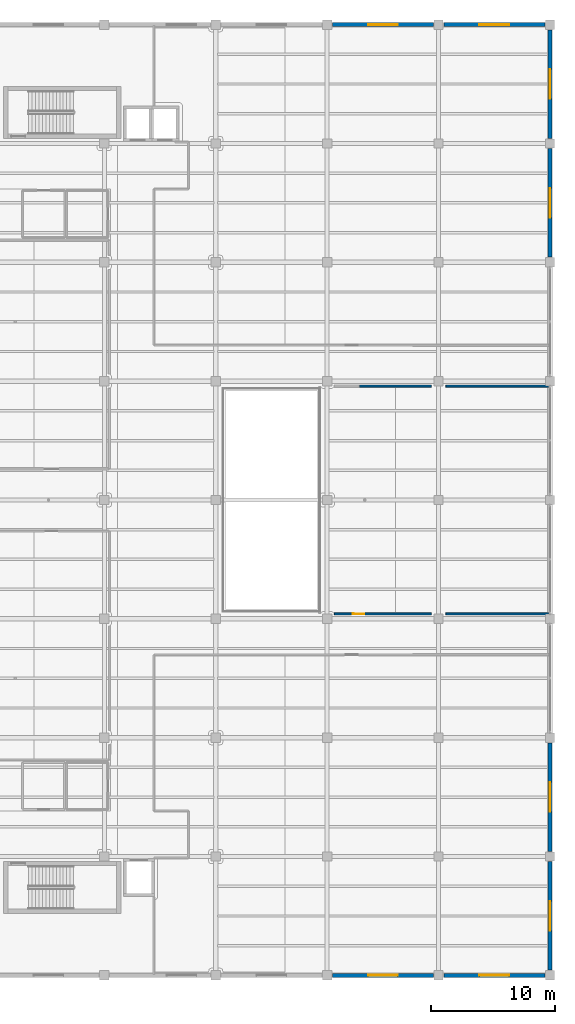
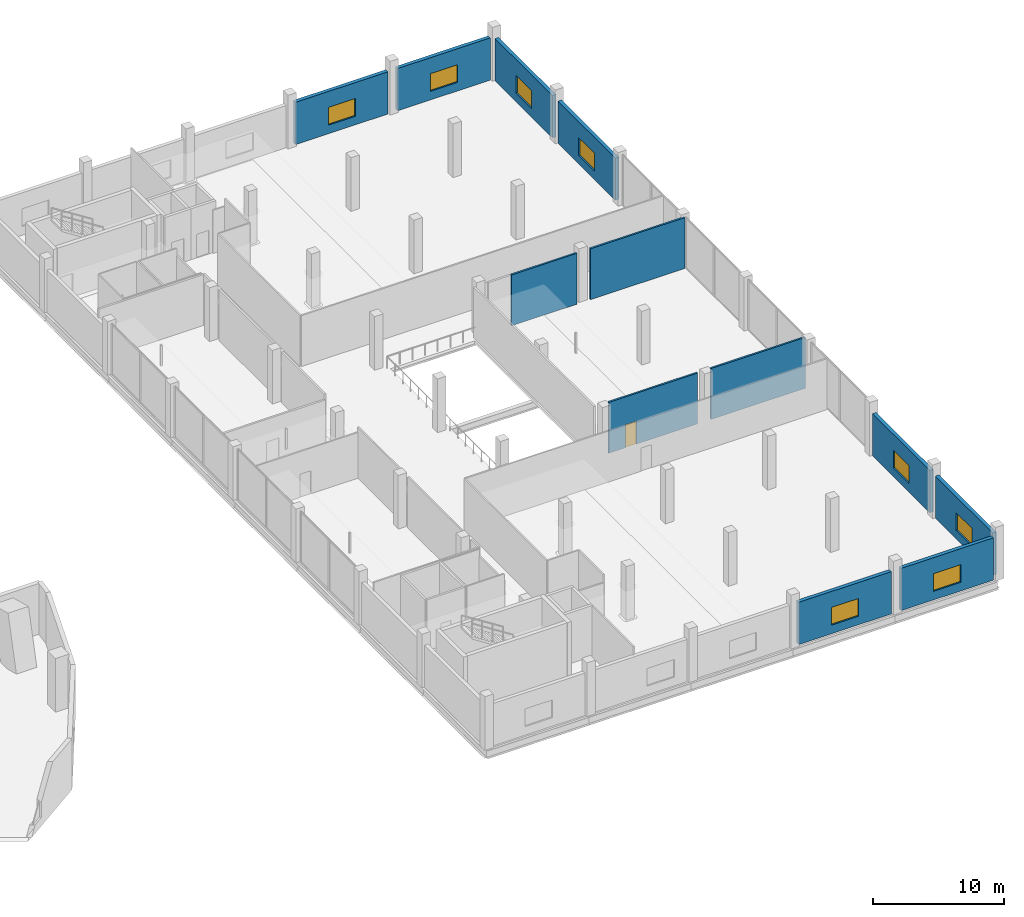
# One storey, part 34 of 47: 12 walls, 8 windows, 1 door, 9 openings.
"""IFC4 building model written with IfcOpenShell, lengths in metres."""

from ifc_helpers import new_model, si_unit, direction, frame, frame_2d, origin, place, context, subcontext, project, spatial, rectangle, extrude, material, layer, layer_set, type_object, element, fill, save


model = new_model("IFC4")

# Units and contexts
model_context = context("Model", 3, precision=1e-05, world=origin(), true_north=direction((0.0, 1.0)))
body_context = subcontext(model_context, "Body", "Model", "MODEL_VIEW")
ifc_project = project(units=[si_unit("LENGTHUNIT", "METRE"), si_unit("AREAUNIT", "SQUARE_METRE"), si_unit("VOLUMEUNIT", "CUBIC_METRE"), si_unit("PLANEANGLEUNIT", "RADIAN"), si_unit("MASSUNIT", "GRAM", prefix="KILO")], contexts=[model_context])

# Site, building, storey
site_placement = place(None, origin())
site = spatial("IfcSite", under=ifc_project, at=site_placement, CompositionType="ELEMENT")
building_placement = place(site_placement, origin())
building = spatial("IfcBuilding", under=site, at=building_placement, Name="Qorvath Tower", CompositionType="ELEMENT")
storey_placement = place(building_placement, frame((0.0, 0.0, 12.0)))
storey = spatial("IfcBuildingStorey", under=building, at=storey_placement, Name="L02", CompositionType="ELEMENT", Elevation=12.0)

# Wall, opening, door
ifc_material_1 = material(Name="Double acoustic gypsum board on steel studs", Category="steel")
ifc_layer_1 = layer(ifc_material_1, 0.159912109375)
ifc_layer_set_1 = layer_set([ifc_layer_1], Name="IW-ACOUSTIC-160")
wall_type_1 = type_object("IfcWallType", Name="IW-ACOUSTIC-160", PredefinedType="PARTITIONING", material=ifc_layer_set_1)
wall_1_placement = place(storey_placement, frame((59.986328125, -9.19189453125, 0.0), z_axis=(0.0, 0.0, 1.0), x_axis=(0.999999469821, -0.001029737027, 0.0)))
wall_1 = element("IfcWall", 1, at=wall_1_placement, inside=storey, type_object=wall_type_1, Name="Interior Partition IW-LB-L02-029", PredefinedType="PARTITIONING", context=body_context, shape_type="SweptSolid", body=[
    extrude(rectangle(XDim=7.823974609375, YDim=0.159912109375, at=frame_2d((3.912109375, 0.0))), origin(), (0.0, 0.0, 1.0), 4.739990234375),
])
opening_1_placement = place(wall_1_placement, frame((1.472900390625, 0.0, 0.0)))
opening_1 = element("IfcOpeningElement", 2, at=opening_1_placement, cuts=wall_1, Name="Opening D-LB-L02-07", PredefinedType="OPENING", context=body_context, shape_type="SweptSolid", body=[
    extrude(rectangle(XDim=0.949951171875, YDim=2.14990234375, at=frame_2d((0.47509765625, 1.074951171875))), frame((0.0, 0.08984375, 0.0), z_axis=(0.0, -1.0, 0.0), x_axis=(1.0, 0.0, 0.0)), (0.0, 0.0, 1.0), 0.179931640625),
])
ifc_material_2 = material(Name="Solid-core American white oak veneer", Category="wood")
door_type = type_object("IfcDoorType", Name="D-01", OperationType="NOTDEFINED", PredefinedType="DOOR", material=ifc_material_2)
door_placement = place(opening_1_placement, origin())
door = element("IfcDoor", 3, at=door_placement, inside=storey, type_object=door_type, Name="L-L02-RDG-E East Daylight Reading Room L02 Door D-LB-L02-07", OperationType="SINGLE_SWING_LEFT", OverallHeight=2.14990234375, OverallWidth=0.949951171875, PredefinedType="DOOR", context=body_context, shape_type="SweptSolid", body=[
    extrude(rectangle(XDim=0.949951171875, YDim=2.14990234375, at=frame_2d((0.47509765625, 1.074951171875))), frame((0.0, 0.02490234375, 0.0), z_axis=(0.0, -1.0, 0.0), x_axis=(1.0, 0.0, 0.0)), (0.0, 0.0, 1.0), 0.050048828125),
])
fill(opening_1, door)

# Walls
for number, where, z_axis, x_axis, name in (
    (4, (68.989501953125, -9.199951171875, 0.0), (0.0, 0.0, 1.0), (1.0, 0.0, 0.0), "Interior Partition IW-LB-L02-030"),
    (5, (77.320068359375, 9.199951171875, 0.0), (0.0, 0.0, 1.0), (-1.0, 0.0, 0.0), "Interior Partition IW-LB-L02-031"),
):
    element("IfcWall", number, at=place(storey_placement, frame(where, z_axis=z_axis, x_axis=x_axis)), inside=storey, type_object=wall_type_1, Name=name, PredefinedType="PARTITIONING", context=body_context, shape_type="SweptSolid", body=[
        extrude(rectangle(XDim=8.33056640625, YDim=0.159912109375, at=frame_2d((4.165283203125, 0.0))), origin(), (0.0, 0.0, 1.0), 4.739990234375),
    ])
wall_2_placement = place(storey_placement, frame((67.810302734375, 9.199951171875, 0.0), z_axis=(0.0, 0.0, 1.0), x_axis=(-1.0, 0.0, 0.0)))
element("IfcWall", 6, at=wall_2_placement, inside=storey, type_object=wall_type_1, Name="Interior Partition IW-LB-L02-032", PredefinedType="PARTITIONING", context=body_context, shape_type="SweptSolid", body=[
    extrude(rectangle(XDim=5.777099609375, YDim=0.159912109375, at=frame_2d((2.888671875, 0.0))), origin(), (0.0, 0.0, 1.0), 4.739990234375),
])

# Wall, opening, window
ifc_material_3 = material(Name="Precast concrete C45/55", Category="concrete")
ifc_layer_2 = layer(ifc_material_3, 0.320068359375)
ifc_layer_set_2 = layer_set([ifc_layer_2], Name="WL-EW-LIB-320")
wall_type_2 = type_object("IfcWallType", Name="WL-EW-LIB-320", PredefinedType="SOLIDWALL", material=ifc_layer_set_2)
wall_3_placement = place(storey_placement, frame((77.39990234375, -29.219970703125, 0.0), z_axis=(0.0, 0.0, 1.0), x_axis=(0.0, -1.0, 0.0)))
wall_3 = element("IfcWall", 7, at=wall_3_placement, inside=storey, type_object=wall_type_2, Name="Library E Precast Wall L02-1", PredefinedType="SOLIDWALL", context=body_context, shape_type="SweptSolid", body=[
    extrude(rectangle(XDim=8.760009765625, YDim=0.320068359375, at=frame_2d((4.3798828125, 0.0))), origin(), (0.0, 0.0, 1.0), 3.93701171875),
])
opening_2_placement = place(wall_3_placement, frame((3.179931640625, 0.0, 0.800048828125)))
opening_2 = element("IfcOpeningElement", 8, at=opening_2_placement, cuts=wall_3, Name="Opening WN-L-097", PredefinedType="OPENING", context=body_context, shape_type="SweptSolid", body=[
    extrude(rectangle(XDim=2.39990234375, YDim=1.64990234375, at=frame_2d((1.199951171875, 0.824951171875))), frame((0.0, 0.169921875, 0.0), z_axis=(0.0, -1.0, 0.0), x_axis=(1.0, 0.0, 0.0)), (0.0, 0.0, 1.0), 0.340087890625),
])
ifc_material_4 = material(Name="Thermally broken aluminium and triple low-E glass", Category="aluminium")
window_type = type_object("IfcWindowType", Name="WN-2", PartitioningType="SINGLE_PANEL", PredefinedType="WINDOW", material=ifc_material_4)
window_1_placement = place(opening_2_placement, origin())
window_1 = element("IfcWindow", 9, at=window_1_placement, inside=storey, type_object=window_type, Name="Library Reading Punched Window 097", OverallHeight=1.64990234375, OverallWidth=2.39990234375, PartitioningType="SINGLE_PANEL", PredefinedType="WINDOW", context=body_context, shape_type="SweptSolid", body=[
    extrude(rectangle(XDim=2.39990234375, YDim=1.64990234375, at=frame_2d((1.199951171875, 0.824951171875))), frame((0.0, 0.030029296875, 0.0), z_axis=(0.0, -1.0, 0.0), x_axis=(1.0, 0.0, 0.0)), (0.0, 0.0, 1.0), 0.06005859375),
])
fill(opening_2, window_1)

wall_4_placement = place(storey_placement, frame((77.39990234375, -19.6201171875, 0.0), z_axis=(0.0, 0.0, 1.0), x_axis=(0.0, -1.0, 0.0)))
wall_4 = element("IfcWall", 10, at=wall_4_placement, inside=storey, type_object=wall_type_2, Name="Library E Precast Wall L02-2", PredefinedType="SOLIDWALL", context=body_context, shape_type="SweptSolid", body=[
    extrude(rectangle(XDim=8.759765625, YDim=0.320068359375, at=frame_2d((4.3798828125, 0.0))), origin(), (0.0, 0.0, 1.0), 3.93701171875),
])
opening_3_placement = place(wall_4_placement, frame((3.179931640625, 0.0, 0.800048828125)))
opening_3 = element("IfcOpeningElement", 11, at=opening_3_placement, cuts=wall_4, Name="Opening WN-L-098", PredefinedType="OPENING", context=body_context, shape_type="SweptSolid", body=[
    extrude(rectangle(XDim=2.39990234375, YDim=1.64990234375, at=frame_2d((1.199951171875, 0.824951171875))), frame((0.0, 0.169921875, 0.0), z_axis=(0.0, -1.0, 0.0), x_axis=(1.0, 0.0, 0.0)), (0.0, 0.0, 1.0), 0.340087890625),
])
window_2_placement = place(opening_3_placement, origin())
window_2 = element("IfcWindow", 12, at=window_2_placement, inside=storey, type_object=window_type, Name="Library Reading Punched Window 098", OverallHeight=1.64990234375, OverallWidth=2.39990234375, PartitioningType="SINGLE_PANEL", PredefinedType="WINDOW", context=body_context, shape_type="SweptSolid", body=[
    extrude(rectangle(XDim=2.39990234375, YDim=1.64990234375, at=frame_2d((1.199951171875, 0.824951171875))), frame((0.0, 0.030029296875, 0.0), z_axis=(0.0, -1.0, 0.0), x_axis=(1.0, 0.0, 0.0)), (0.0, 0.0, 1.0), 0.06005859375),
])
fill(opening_3, window_2)

wall_5_placement = place(storey_placement, frame((77.39990234375, 28.3798828125, 0.0), z_axis=(0.0, 0.0, 1.0), x_axis=(0.0, -1.0, 0.0)))
wall_5 = element("IfcWall", 13, at=wall_5_placement, inside=storey, type_object=wall_type_2, Name="Library E Precast Wall L02-7", PredefinedType="SOLIDWALL", context=body_context, shape_type="SweptSolid", body=[
    extrude(rectangle(XDim=8.759765625, YDim=0.320068359375, at=frame_2d((4.3798828125, 0.0))), origin(), (0.0, 0.0, 1.0), 3.93701171875),
])
opening_4_placement = place(wall_5_placement, frame((3.179931640625, 0.0, 0.800048828125)))
opening_4 = element("IfcOpeningElement", 14, at=opening_4_placement, cuts=wall_5, Name="Opening WN-L-099", PredefinedType="OPENING", context=body_context, shape_type="SweptSolid", body=[
    extrude(rectangle(XDim=2.39990234375, YDim=1.64990234375, at=frame_2d((1.199951171875, 0.824951171875))), frame((0.0, 0.169921875, 0.0), z_axis=(0.0, -1.0, 0.0), x_axis=(1.0, 0.0, 0.0)), (0.0, 0.0, 1.0), 0.340087890625),
])
window_3_placement = place(opening_4_placement, origin())
window_3 = element("IfcWindow", 15, at=window_3_placement, inside=storey, type_object=window_type, Name="Library Reading Punched Window 099", OverallHeight=1.64990234375, OverallWidth=2.39990234375, PartitioningType="SINGLE_PANEL", PredefinedType="WINDOW", context=body_context, shape_type="SweptSolid", body=[
    extrude(rectangle(XDim=2.39990234375, YDim=1.64990234375, at=frame_2d((1.199951171875, 0.824951171875))), frame((0.0, 0.030029296875, 0.0), z_axis=(0.0, -1.0, 0.0), x_axis=(1.0, 0.0, 0.0)), (0.0, 0.0, 1.0), 0.06005859375),
])
fill(opening_4, window_3)

wall_6_placement = place(storey_placement, frame((77.39990234375, 37.97998046875, 0.0), z_axis=(0.0, 0.0, 1.0), x_axis=(0.0, -1.0, 0.0)))
wall_6 = element("IfcWall", 16, at=wall_6_placement, inside=storey, type_object=wall_type_2, Name="Library E Precast Wall L02-8", PredefinedType="SOLIDWALL", context=body_context, shape_type="SweptSolid", body=[
    extrude(rectangle(XDim=8.760009765625, YDim=0.320068359375, at=frame_2d((4.3798828125, 0.0))), origin(), (0.0, 0.0, 1.0), 3.93701171875),
])
opening_5_placement = place(wall_6_placement, frame((3.179931640625, 0.0, 0.800048828125)))
opening_5 = element("IfcOpeningElement", 17, at=opening_5_placement, cuts=wall_6, Name="Opening WN-L-100", PredefinedType="OPENING", context=body_context, shape_type="SweptSolid", body=[
    extrude(rectangle(XDim=2.39990234375, YDim=1.64990234375, at=frame_2d((1.199951171875, 0.824951171875))), frame((0.0, 0.169921875, 0.0), z_axis=(0.0, -1.0, 0.0), x_axis=(1.0, 0.0, 0.0)), (0.0, 0.0, 1.0), 0.340087890625),
])
window_4_placement = place(opening_5_placement, origin())
window_4 = element("IfcWindow", 18, at=window_4_placement, inside=storey, type_object=window_type, Name="Library Reading Punched Window 100", OverallHeight=1.64990234375, OverallWidth=2.39990234375, PartitioningType="SINGLE_PANEL", PredefinedType="WINDOW", context=body_context, shape_type="SweptSolid", body=[
    extrude(rectangle(XDim=2.39990234375, YDim=1.64990234375, at=frame_2d((1.199951171875, 0.824951171875))), frame((0.0, 0.030029296875, 0.0), z_axis=(0.0, -1.0, 0.0), x_axis=(1.0, 0.0, 0.0)), (0.0, 0.0, 1.0), 0.06005859375),
])
fill(opening_5, window_4)

wall_7_placement = place(storey_placement, frame((68.820068359375, 38.39990234375, 0.0), z_axis=(0.0, 0.0, 1.0), x_axis=(1.0, 0.0, 0.0)))
wall_7 = element("IfcWall", 19, at=wall_7_placement, inside=storey, type_object=wall_type_2, Name="Library N Precast Wall L02-1", PredefinedType="SOLIDWALL", context=body_context, shape_type="SweptSolid", body=[
    extrude(rectangle(XDim=8.159912109375, YDim=0.320068359375, at=frame_2d((4.080078125, 0.0))), origin(), (0.0, 0.0, 1.0), 3.93701171875),
])
opening_6_placement = place(wall_7_placement, frame((2.8798828125, 0.0, 0.800048828125)))
opening_6 = element("IfcOpeningElement", 20, at=opening_6_placement, cuts=wall_7, Name="Opening WN-L-101", PredefinedType="OPENING", context=body_context, shape_type="SweptSolid", body=[
    extrude(rectangle(XDim=2.39990234375, YDim=1.64990234375, at=frame_2d((1.199951171875, 0.824951171875))), frame((0.0, 0.169921875, 0.0), z_axis=(0.0, -1.0, 0.0), x_axis=(1.0, 0.0, 0.0)), (0.0, 0.0, 1.0), 0.340087890625),
])
window_5_placement = place(opening_6_placement, origin())
window_5 = element("IfcWindow", 21, at=window_5_placement, inside=storey, type_object=window_type, Name="Library Reading Punched Window 101", OverallHeight=1.64990234375, OverallWidth=2.39990234375, PartitioningType="SINGLE_PANEL", PredefinedType="WINDOW", context=body_context, shape_type="SweptSolid", body=[
    extrude(rectangle(XDim=2.39990234375, YDim=1.64990234375, at=frame_2d((1.199951171875, 0.824951171875))), frame((0.0, 0.030029296875, 0.0), z_axis=(0.0, -1.0, 0.0), x_axis=(1.0, 0.0, 0.0)), (0.0, 0.0, 1.0), 0.06005859375),
])
fill(opening_6, window_5)

wall_8_placement = place(storey_placement, frame((59.820068359375, 38.39990234375, 0.0), z_axis=(0.0, 0.0, 1.0), x_axis=(1.0, 0.0, 0.0)))
wall_8 = element("IfcWall", 22, at=wall_8_placement, inside=storey, type_object=wall_type_2, Name="Library N Precast Wall L02-2", PredefinedType="SOLIDWALL", context=body_context, shape_type="SweptSolid", body=[
    extrude(rectangle(XDim=8.159912109375, YDim=0.320068359375, at=frame_2d((4.080078125, 0.0))), origin(), (0.0, 0.0, 1.0), 3.93701171875),
])
opening_7_placement = place(wall_8_placement, frame((2.8798828125, 0.0, 0.800048828125)))
opening_7 = element("IfcOpeningElement", 23, at=opening_7_placement, cuts=wall_8, Name="Opening WN-L-102", PredefinedType="OPENING", context=body_context, shape_type="SweptSolid", body=[
    extrude(rectangle(XDim=2.39990234375, YDim=1.64990234375, at=frame_2d((1.199951171875, 0.824951171875))), frame((0.0, 0.169921875, 0.0), z_axis=(0.0, -1.0, 0.0), x_axis=(1.0, 0.0, 0.0)), (0.0, 0.0, 1.0), 0.340087890625),
])
window_6_placement = place(opening_7_placement, origin())
window_6 = element("IfcWindow", 24, at=window_6_placement, inside=storey, type_object=window_type, Name="Library Reading Punched Window 102", OverallHeight=1.64990234375, OverallWidth=2.39990234375, PartitioningType="SINGLE_PANEL", PredefinedType="WINDOW", context=body_context, shape_type="SweptSolid", body=[
    extrude(rectangle(XDim=2.39990234375, YDim=1.64990234375, at=frame_2d((1.199951171875, 0.824951171875))), frame((0.0, 0.030029296875, 0.0), z_axis=(0.0, -1.0, 0.0), x_axis=(1.0, 0.0, 0.0)), (0.0, 0.0, 1.0), 0.06005859375),
])
fill(opening_7, window_6)

wall_9_placement = place(storey_placement, frame((67.97998046875, -38.39990234375, 0.0), z_axis=(0.0, 0.0, 1.0), x_axis=(-1.0, 0.0, 0.0)))
wall_9 = element("IfcWall", 25, at=wall_9_placement, inside=storey, type_object=wall_type_2, Name="Library S Precast Wall L02-4", PredefinedType="SOLIDWALL", context=body_context, shape_type="SweptSolid", body=[
    extrude(rectangle(XDim=8.159912109375, YDim=0.320068359375, at=frame_2d((4.080078125, 0.0))), origin(), (0.0, 0.0, 1.0), 3.93701171875),
])
opening_8_placement = place(wall_9_placement, frame((2.8798828125, 0.0, 0.800048828125)))
opening_8 = element("IfcOpeningElement", 26, at=opening_8_placement, cuts=wall_9, Name="Opening WN-L-109", PredefinedType="OPENING", context=body_context, shape_type="SweptSolid", body=[
    extrude(rectangle(XDim=2.39990234375, YDim=1.64990234375, at=frame_2d((1.199951171875, 0.824951171875))), frame((0.0, 0.169921875, 0.0), z_axis=(0.0, -1.0, 0.0), x_axis=(1.0, 0.0, 0.0)), (0.0, 0.0, 1.0), 0.340087890625),
])
window_7_placement = place(opening_8_placement, origin())
window_7 = element("IfcWindow", 27, at=window_7_placement, inside=storey, type_object=window_type, Name="Library Reading Punched Window 109", OverallHeight=1.64990234375, OverallWidth=2.39990234375, PartitioningType="SINGLE_PANEL", PredefinedType="WINDOW", context=body_context, shape_type="SweptSolid", body=[
    extrude(rectangle(XDim=2.39990234375, YDim=1.64990234375, at=frame_2d((1.199951171875, 0.824951171875))), frame((0.0, 0.030029296875, 0.0), z_axis=(0.0, -1.0, 0.0), x_axis=(1.0, 0.0, 0.0)), (0.0, 0.0, 1.0), 0.06005859375),
])
fill(opening_8, window_7)

wall_10_placement = place(storey_placement, frame((76.97998046875, -38.39990234375, 0.0), z_axis=(0.0, 0.0, 1.0), x_axis=(-1.0, 0.0, 0.0)))
wall_10 = element("IfcWall", 28, at=wall_10_placement, inside=storey, type_object=wall_type_2, Name="Library S Precast Wall L02-5", PredefinedType="SOLIDWALL", context=body_context, shape_type="SweptSolid", body=[
    extrude(rectangle(XDim=8.159912109375, YDim=0.320068359375, at=frame_2d((4.080078125, 0.0))), origin(), (0.0, 0.0, 1.0), 3.93701171875),
])
opening_9_placement = place(wall_10_placement, frame((2.8798828125, 0.0, 0.800048828125)))
opening_9 = element("IfcOpeningElement", 29, at=opening_9_placement, cuts=wall_10, Name="Opening WN-L-110", PredefinedType="OPENING", context=body_context, shape_type="SweptSolid", body=[
    extrude(rectangle(XDim=2.39990234375, YDim=1.64990234375, at=frame_2d((1.199951171875, 0.824951171875))), frame((0.0, 0.169921875, 0.0), z_axis=(0.0, -1.0, 0.0), x_axis=(1.0, 0.0, 0.0)), (0.0, 0.0, 1.0), 0.340087890625),
])
window_8_placement = place(opening_9_placement, origin())
window_8 = element("IfcWindow", 30, at=window_8_placement, inside=storey, type_object=window_type, Name="Library Reading Punched Window 110", OverallHeight=1.64990234375, OverallWidth=2.39990234375, PartitioningType="SINGLE_PANEL", PredefinedType="WINDOW", context=body_context, shape_type="SweptSolid", body=[
    extrude(rectangle(XDim=2.39990234375, YDim=1.64990234375, at=frame_2d((1.199951171875, 0.824951171875))), frame((0.0, 0.030029296875, 0.0), z_axis=(0.0, -1.0, 0.0), x_axis=(1.0, 0.0, 0.0)), (0.0, 0.0, 1.0), 0.06005859375),
])
fill(opening_9, window_8)

save(model, "model.ifc")
